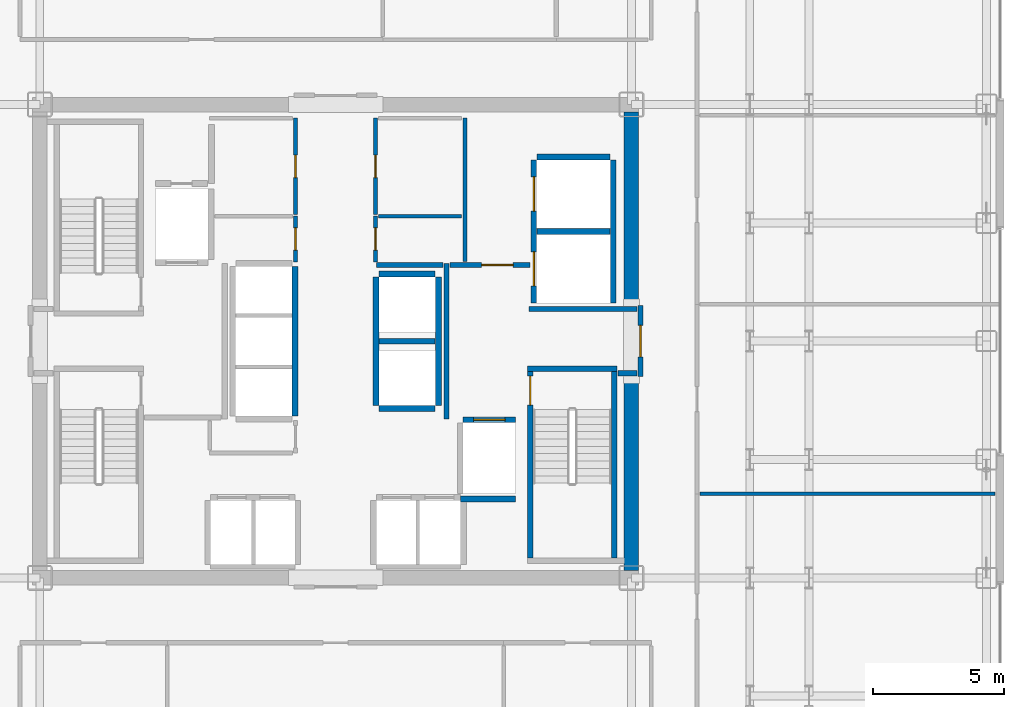
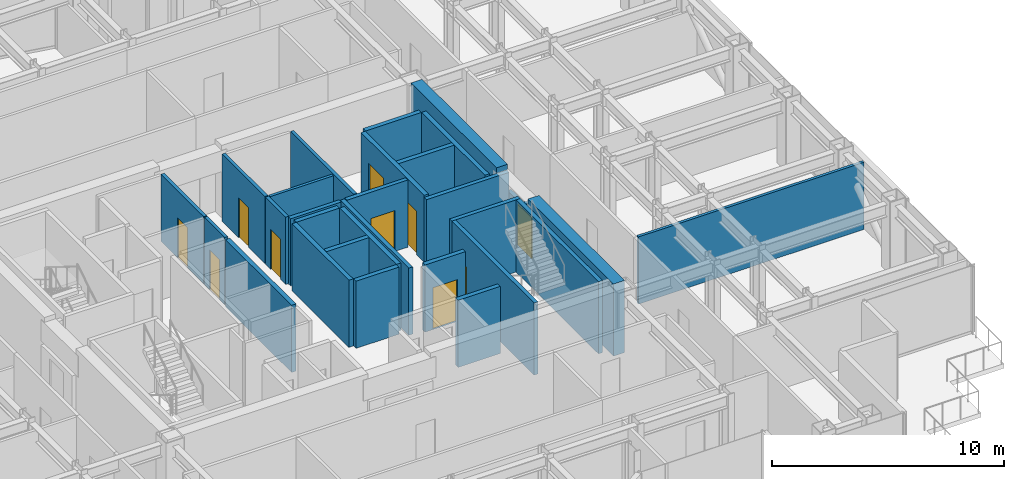
# One storey, part 23 of 27: 30 walls, 10 doors, 10 openings.
"""IFC4 building model written with IfcOpenShell, lengths in metres."""

from ifc_helpers import new_model, si_unit, direction, frame, frame_2d, origin, place, context, subcontext, project, spatial, rectangle, extrude, source, transform, mapped, material, layer, layer_set, type_object, element, fill, save


model = new_model("IFC4")

# Units and contexts
model_context = context("Model", 3, precision=1e-05, world=origin(), true_north=direction((0.0, 1.0)))
body_context = subcontext(model_context, "Body", "Model", "MODEL_VIEW")
ifc_project = project(units=[si_unit("LENGTHUNIT", "METRE"), si_unit("AREAUNIT", "SQUARE_METRE"), si_unit("VOLUMEUNIT", "CUBIC_METRE"), si_unit("PLANEANGLEUNIT", "RADIAN"), si_unit("MASSUNIT", "GRAM", prefix="KILO")], contexts=[model_context])

# Site, building, storey
site_placement = place(None, origin())
site = spatial("IfcSite", under=ifc_project, at=site_placement, CompositionType="ELEMENT")
building_placement = place(site_placement, origin())
building = spatial("IfcBuilding", under=site, at=building_placement, Name="Nefas-Gora Pilgrimage Tower", CompositionType="ELEMENT")
storey_placement = place(building_placement, frame((0.0, 0.0, 183.0)))
storey = spatial("IfcBuildingStorey", under=building, at=storey_placement, Name="L45", CompositionType="ELEMENT", Elevation=183.0)

# Walls
ifc_material_1 = material(Name="Concrete C60/75", Category="concrete")
ifc_layer_1 = layer(ifc_material_1, 0.550048828125)
ifc_layer_set_1 = layer_set([ifc_layer_1], Name="Concrete C60/75")
wall_type_1 = type_object("IfcWallType", Name="SW-CORE-550", PredefinedType="SHEAR", material=ifc_layer_set_1)
shared_shape_1 = source(origin(), body_context, "Body", "SweptSolid", [
    extrude(rectangle(XDim=7.375, YDim=0.550048828125, at=frame_2d((3.6875, 0.0))), origin(), (0.0, 0.0, 1.0), 3.800048828125),
])
for number, where, z_axis, x_axis, name in (
    (1, (11.25, -8.72509765625, 0.0), (0.0, 0.0, 1.0), (0.0, 1.0, 0.0), "L45 Core Shear Wall E-South"),
    (2, (11.25, 1.35009765625, 0.0), (0.0, 0.0, 1.0), (0.0, 1.0, 0.0), "L45 Core Shear Wall E-North"),
):
    element("IfcWall", number, at=place(storey_placement, frame(where, z_axis=z_axis, x_axis=x_axis)), inside=storey, type_object=wall_type_1, Name=name, PredefinedType="SHEAR", context=body_context, shape_type="MappedRepresentation", body=[
        mapped(shared_shape_1, transform((0.0, 0.0, 0.0), x_axis=(1.0, 0.0, 0.0), y_axis=(0.0, 1.0, 0.0), z_axis=(0.0, 0.0, 1.0), scale=1.0)),
    ])
ifc_material_2 = material(Name="Concrete C45/55", Category="concrete")
ifc_layer_2 = layer(ifc_material_2, 0.199951171875)
ifc_layer_set_2 = layer_set([ifc_layer_2], Name="Concrete C45/55")
wall_type_2 = type_object("IfcWallType", Name="IW-STAIR-200", PredefinedType="SOLIDWALL", material=ifc_layer_set_2)
shared_shape_2 = source(origin(), body_context, "Body", "SweptSolid", [
    extrude(rectangle(XDim=3.39990234375, YDim=0.199951171875, at=frame_2d((1.699951171875, 0.0))), origin(), (0.0, 0.0, 1.0), 3.800048828125),
])
wall_1_placement = place(storey_placement, frame((7.300048828125, -1.050048828125, 0.0), z_axis=(0.0, 0.0, 1.0), x_axis=(1.0, 0.0, 0.0)))
element("IfcWall", 3, at=wall_1_placement, inside=storey, type_object=wall_type_2, Name="L45 Stairwell Shear Wall ST-02-near", PredefinedType="SOLIDWALL", context=body_context, shape_type="MappedRepresentation", body=[
    mapped(shared_shape_2, transform((0.0, 0.0, 0.0), x_axis=(1.0, 0.0, 0.0), y_axis=(0.0, 1.0, 0.0), z_axis=(0.0, 0.0, 1.0), scale=1.0)),
])

# Wall, opening, door
shared_shape_3 = source(origin(), body_context, "Body", "SweptSolid", [
    extrude(rectangle(XDim=7.10009765625, YDim=0.199951171875, at=frame_2d((3.550048828125, 0.0))), origin(), (0.0, 0.0, 1.0), 3.800048828125),
])
wall_2_placement = place(storey_placement, frame((7.39990234375, -1.14990234375, 0.0), z_axis=(0.0, 0.0, 1.0), x_axis=(0.0, -1.0, 0.0)))
wall_2 = element("IfcWall", 4, at=wall_2_placement, inside=storey, type_object=wall_type_2, Name="L45 Stairwell Shear Wall ST-02-left", PredefinedType="SOLIDWALL", context=body_context, shape_type="MappedRepresentation", body=[
    mapped(shared_shape_3, transform((0.0, 0.0, 0.0), x_axis=(1.0, 0.0, 0.0), y_axis=(0.0, 1.0, 0.0), z_axis=(0.0, 0.0, 1.0), scale=1.0)),
])
opening_1_placement = place(wall_2_placement, frame((0.179931640625, 0.0, 0.0)))
opening_1 = element("IfcOpeningElement", 5, at=opening_1_placement, cuts=wall_2, Name="Opening ID-ST1", PredefinedType="OPENING", context=body_context, shape_type="SweptSolid", body=[
    extrude(rectangle(XDim=1.10009765625, YDim=2.14990234375, at=frame_2d((0.550048828125, 1.074951171875))), frame((0.0, 0.10986328125, 0.0), z_axis=(0.0, -1.0, 0.0), x_axis=(1.0, 0.0, 0.0)), (0.0, 0.0, 1.0), 0.219970703125),
])
ifc_material_3 = material(Name="Painted galvanised steel fire stair door", Category="steel")
door_type_1 = type_object("IfcDoorType", Name="DR-INT-STAIR-1100", OperationType="NOTDEFINED", PredefinedType="DOOR", material=ifc_material_3)
shared_shape_4 = source(origin(), body_context, "Body", "SweptSolid", [
    extrude(rectangle(XDim=1.10009765625, YDim=2.14990234375, at=frame_2d((0.550048828125, 1.074951171875))), frame((0.0, 0.02490234375, 0.0), z_axis=(0.0, -1.0, 0.0), x_axis=(1.0, 0.0, 0.0)), (0.0, 0.0, 1.0), 0.050048828125),
])
door_1_placement = place(opening_1_placement, origin())
door_1 = element("IfcDoor", 6, at=door_1_placement, inside=storey, type_object=door_type_1, Name="L45 Protected Exit Stair Door ST-02", OperationType="SINGLE_SWING_RIGHT", OverallHeight=2.14990234375, OverallWidth=1.10009765625, PredefinedType="DOOR", context=body_context, shape_type="MappedRepresentation", body=[
    mapped(shared_shape_4, transform((0.0, 0.0, 0.0), x_axis=(1.0, 0.0, 0.0), y_axis=(0.0, 1.0, 0.0), z_axis=(0.0, 0.0, 1.0), scale=1.0)),
])
fill(opening_1, door_1)

# Wall
wall_3_placement = place(storey_placement, frame((10.60009765625, -1.14990234375, 0.0), z_axis=(0.0, 0.0, 1.0), x_axis=(0.0, -1.0, 0.0)))
element("IfcWall", 7, at=wall_3_placement, inside=storey, type_object=wall_type_2, Name="L45 Stairwell Shear Wall ST-02-right", PredefinedType="SOLIDWALL", context=body_context, shape_type="MappedRepresentation", body=[
    mapped(shared_shape_3, transform((0.0, 0.0, 0.0), x_axis=(1.0, 0.0, 0.0), y_axis=(0.0, 1.0, 0.0), z_axis=(0.0, 0.0, 1.0), scale=1.0)),
])

# Wall, opening, door
ifc_material_4 = material(Name="Concrete C40/50", Category="concrete")
ifc_layer_3 = layer(ifc_material_4, 0.219970703125)
ifc_layer_set_3 = layer_set([ifc_layer_3], Name="Concrete C40/50")
wall_type_3 = type_object("IfcWallType", Name="IW-SHAFT-220", PredefinedType="SOLIDWALL", material=ifc_layer_set_3)
shared_shape_5 = source(origin(), body_context, "Body", "SweptSolid", [
    extrude(rectangle(XDim=2.0, YDim=0.219970703125, at=frame_2d((1.0, 0.0))), origin(), (0.0, 0.0, 1.0), 3.534912109375),
])
wall_4_placement = place(storey_placement, frame((6.85009765625, -2.989990234375, 0.0), z_axis=(0.0, 0.0, 1.0), x_axis=(-1.0, 0.0, 0.0)))
wall_4 = element("IfcWall", 8, at=wall_4_placement, inside=storey, type_object=wall_type_3, Name="L45 Hoistway Wall FFL-02-N", PredefinedType="SOLIDWALL", context=body_context, shape_type="MappedRepresentation", body=[
    mapped(shared_shape_5, transform((0.0, 0.0, 0.0), x_axis=(1.0, 0.0, 0.0), y_axis=(0.0, 1.0, 0.0), z_axis=(0.0, 0.0, 1.0), scale=1.0)),
])
opening_2_placement = place(wall_4_placement, frame((0.39990234375, 0.0, 0.0)))
opening_2 = element("IfcOpeningElement", 9, at=opening_2_placement, cuts=wall_4, Name="Opening LD-FF", PredefinedType="OPENING", context=body_context, shape_type="SweptSolid", body=[
    extrude(rectangle(XDim=1.199951171875, YDim=2.199951171875, at=frame_2d((0.60009765625, 1.10009765625))), frame((0.0, 0.119873046875, 0.0), z_axis=(0.0, -1.0, 0.0), x_axis=(1.0, 0.0, 0.0)), (0.0, 0.0, 1.0), 0.239990234375),
])
ifc_material_5 = material(Name="Fire-service sliding lift landing door")
door_type_2 = type_object("IfcDoorType", Name="DR-LIFT-FSAE-1200", OperationType="SLIDING_TO_LEFT", PredefinedType="DOOR", material=ifc_material_5)
shared_shape_6 = source(origin(), body_context, "Body", "SweptSolid", [
    extrude(rectangle(XDim=1.199951171875, YDim=2.199951171875, at=frame_2d((0.60009765625, 1.10009765625))), frame((0.0, 0.02490234375, 0.0), z_axis=(0.0, -1.0, 0.0), x_axis=(1.0, 0.0, 0.0)), (0.0, 0.0, 1.0), 0.050048828125),
])
door_2_placement = place(opening_2_placement, origin())
door_2 = element("IfcDoor", 10, at=door_2_placement, inside=storey, type_object=door_type_2, Name="L45 Sliding Lift Landing Door FFL-02", OperationType="SLIDING_TO_LEFT", OverallHeight=2.199951171875, OverallWidth=1.199951171875, PredefinedType="DOOR", context=body_context, shape_type="MappedRepresentation", body=[
    mapped(shared_shape_6, transform((0.0, 0.0, 0.0), x_axis=(1.0, 0.0, 0.0), y_axis=(0.0, 1.0, 0.0), z_axis=(0.0, 0.0, 1.0), scale=1.0)),
])
fill(opening_2, door_2)

# Wall, openings, doors
shared_shape_7 = source(origin(), body_context, "Body", "SweptSolid", [
    extrude(rectangle(XDim=5.449951171875, YDim=0.219970703125, at=frame_2d((2.72509765625, 0.0))), origin(), (0.0, 0.0, 1.0), 3.534912109375),
])
wall_5_placement = place(storey_placement, frame((7.5400390625, 6.89990234375, 0.0), z_axis=(0.0, 0.0, 1.0), x_axis=(0.0, -1.0, 0.0)))
wall_5 = element("IfcWall", 11, at=wall_5_placement, inside=storey, type_object=wall_type_3, Name="L45 Hoistway Wall SL-01-02-W", PredefinedType="SOLIDWALL", context=body_context, shape_type="MappedRepresentation", body=[
    mapped(shared_shape_7, transform((0.0, 0.0, 0.0), x_axis=(1.0, 0.0, 0.0), y_axis=(0.0, 1.0, 0.0), z_axis=(0.0, 0.0, 1.0), scale=1.0)),
])
opening_3_placement = place(wall_5_placement, frame((3.5, 0.0, 0.0)))
opening_3 = element("IfcOpeningElement", 12, at=opening_3_placement, cuts=wall_5, Name="Opening LD-SV", PredefinedType="OPENING", context=body_context, shape_type="SweptSolid", body=[
    extrude(rectangle(XDim=1.300048828125, YDim=2.300048828125, at=frame_2d((0.64990234375, 1.14990234375))), frame((0.0, 0.119873046875, 0.0), z_axis=(0.0, -1.0, 0.0), x_axis=(1.0, 0.0, 0.0)), (0.0, 0.0, 1.0), 0.239990234375),
])
opening_4_placement = place(wall_5_placement, frame((0.64990234375, 0.0, 0.0)))
opening_4 = element("IfcOpeningElement", 13, at=opening_4_placement, cuts=wall_5, Name="Opening LD-SV", PredefinedType="OPENING", context=body_context, shape_type="SweptSolid", body=[
    extrude(rectangle(XDim=1.300048828125, YDim=2.300048828125, at=frame_2d((0.64990234375, 1.14990234375))), frame((0.0, 0.119873046875, 0.0), z_axis=(0.0, -1.0, 0.0), x_axis=(1.0, 0.0, 0.0)), (0.0, 0.0, 1.0), 0.239990234375),
])
ifc_material_6 = material(Name="Heavy goods sliding lift landing door")
door_type_3 = type_object("IfcDoorType", Name="DR-LIFT-SERV-1300", OperationType="SLIDING_TO_RIGHT", PredefinedType="DOOR", material=ifc_material_6)
shared_shape_8 = source(origin(), body_context, "Body", "SweptSolid", [
    extrude(rectangle(XDim=1.300048828125, YDim=2.300048828125, at=frame_2d((0.64990234375, 1.14990234375))), frame((0.0, 0.02490234375, 0.0), z_axis=(0.0, -1.0, 0.0), x_axis=(1.0, 0.0, 0.0)), (0.0, 0.0, 1.0), 0.050048828125),
])
door_3_placement = place(opening_3_placement, origin())
door_3 = element("IfcDoor", 14, at=door_3_placement, inside=storey, type_object=door_type_3, Name="L45 Sliding Lift Landing Door SL-01", OperationType="SLIDING_TO_RIGHT", OverallHeight=2.300048828125, OverallWidth=1.300048828125, PredefinedType="DOOR", context=body_context, shape_type="MappedRepresentation", body=[
    mapped(shared_shape_8, transform((0.0, 0.0, 0.0), x_axis=(1.0, 0.0, 0.0), y_axis=(0.0, 1.0, 0.0), z_axis=(0.0, 0.0, 1.0), scale=1.0)),
])
fill(opening_3, door_3)
door_4_placement = place(opening_4_placement, origin())
door_4 = element("IfcDoor", 15, at=door_4_placement, inside=storey, type_object=door_type_3, Name="L45 Sliding Lift Landing Door SL-02", OperationType="SLIDING_TO_RIGHT", OverallHeight=2.300048828125, OverallWidth=1.300048828125, PredefinedType="DOOR", context=body_context, shape_type="MappedRepresentation", body=[
    mapped(shared_shape_8, transform((0.0, 0.0, 0.0), x_axis=(1.0, 0.0, 0.0), y_axis=(0.0, 1.0, 0.0), z_axis=(0.0, 0.0, 1.0), scale=1.0)),
])
fill(opening_4, door_4)

# Walls
wall_6_placement = place(storey_placement, frame((10.56005859375, 1.449951171875, 0.0), z_axis=(0.0, 0.0, 1.0), x_axis=(0.0, 1.0, 0.0)))
element("IfcWall", 16, at=wall_6_placement, inside=storey, type_object=wall_type_3, Name="L45 Hoistway Wall SL-01-02-E", PredefinedType="SOLIDWALL", context=body_context, shape_type="MappedRepresentation", body=[
    mapped(shared_shape_7, transform((0.0, 0.0, 0.0), x_axis=(1.0, 0.0, 0.0), y_axis=(0.0, 1.0, 0.0), z_axis=(0.0, 0.0, 1.0), scale=1.0)),
])
shared_shape_9 = source(origin(), body_context, "Body", "SweptSolid", [
    extrude(rectangle(XDim=2.780029296875, YDim=0.219970703125, at=frame_2d((1.39013671875, 0.0))), origin(), (0.0, 0.0, 1.0), 3.534912109375),
])
for number, where, z_axis, x_axis, name in (
    (17, (7.659912109375, 4.175048828125, 0.0), (0.0, 0.0, 1.0), (1.0, 0.0, 0.0), "L45 Hoistway Wall SL-01-02-DIV"),
    (18, (10.43994140625, 7.010009765625, 0.0), (0.0, 0.0, 1.0), (-1.0, 0.0, 0.0), "L45 Hoistway Wall SL-02-N"),
):
    element("IfcWall", number, at=place(storey_placement, frame(where, z_axis=z_axis, x_axis=x_axis)), inside=storey, type_object=wall_type_3, Name=name, PredefinedType="SOLIDWALL", context=body_context, shape_type="MappedRepresentation", body=[
        mapped(shared_shape_9, transform((0.0, 0.0, 0.0), x_axis=(1.0, 0.0, 0.0), y_axis=(0.0, 1.0, 0.0), z_axis=(0.0, 0.0, 1.0), scale=1.0)),
    ])
shared_shape_10 = source(origin(), body_context, "Body", "SweptSolid", [
    extrude(rectangle(XDim=5.7001953125, YDim=0.219970703125, at=frame_2d((2.85009765625, 0.0))), origin(), (0.0, 0.0, 1.0), 3.534912109375),
])
wall_7_placement = place(storey_placement, frame((-1.5400390625, -2.85009765625, 0.0), z_axis=(0.0, 0.0, 1.0), x_axis=(0.0, 1.0, 0.0)))
element("IfcWall", 19, at=wall_7_placement, inside=storey, type_object=wall_type_3, Name="L45 Hoistway Wall PL3-01-03-E", PredefinedType="SOLIDWALL", context=body_context, shape_type="MappedRepresentation", body=[
    mapped(shared_shape_10, transform((0.0, 0.0, 0.0), x_axis=(1.0, 0.0, 0.0), y_axis=(0.0, 1.0, 0.0), z_axis=(0.0, 0.0, 1.0), scale=1.0)),
])
shared_shape_11 = source(origin(), body_context, "Body", "SweptSolid", [
    extrude(rectangle(XDim=2.130126953125, YDim=0.219970703125, at=frame_2d((1.06494140625, 0.0))), origin(), (0.0, 0.0, 1.0), 3.534912109375),
])
for number, where, z_axis, x_axis, name in (
    (20, (1.659912109375, -2.56005859375, 0.0), (0.0, 0.0, 1.0), (1.0, 0.0, 0.0), "L45 Hoistway Wall OBS-01-S"),
    (21, (1.659912109375, 0.0, 0.0), (0.0, 0.0, 1.0), (1.0, 0.0, 0.0), "L45 Hoistway Wall OBS-01-02-DIV"),
    (22, (3.7900390625, 2.56005859375, 0.0), (0.0, 0.0, 1.0), (-1.0, 0.0, 0.0), "L45 Hoistway Wall OBS-02-N"),
):
    element("IfcWall", number, at=place(storey_placement, frame(where, z_axis=z_axis, x_axis=x_axis)), inside=storey, type_object=wall_type_3, Name=name, PredefinedType="SOLIDWALL", context=body_context, shape_type="MappedRepresentation", body=[
        mapped(shared_shape_11, transform((0.0, 0.0, 0.0), x_axis=(1.0, 0.0, 0.0), y_axis=(0.0, 1.0, 0.0), z_axis=(0.0, 0.0, 1.0), scale=1.0)),
    ])
shared_shape_12 = source(origin(), body_context, "Body", "SweptSolid", [
    extrude(rectangle(XDim=4.89990234375, YDim=0.219970703125, at=frame_2d((2.449951171875, 0.0))), origin(), (0.0, 0.0, 1.0), 3.534912109375),
])
for number, where, z_axis, x_axis, name in (
    (23, (1.5400390625, 2.449951171875, 0.0), (0.0, 0.0, 1.0), (0.0, -1.0, 0.0), "L45 Hoistway Wall OBS-01-02-W"),
    (24, (3.909912109375, -2.449951171875, 0.0), (0.0, 0.0, 1.0), (0.0, 1.0, 0.0), "L45 Hoistway Wall OBS-01-02-E"),
):
    element("IfcWall", number, at=place(storey_placement, frame(where, z_axis=z_axis, x_axis=x_axis)), inside=storey, type_object=wall_type_3, Name=name, PredefinedType="SOLIDWALL", context=body_context, shape_type="MappedRepresentation", body=[
        mapped(shared_shape_12, transform((0.0, 0.0, 0.0), x_axis=(1.0, 0.0, 0.0), y_axis=(0.0, 1.0, 0.0), z_axis=(0.0, 0.0, 1.0), scale=1.0)),
    ])
shared_shape_13 = source(origin(), body_context, "Body", "SweptSolid", [
    extrude(rectangle(XDim=2.09521484375, YDim=0.219970703125, at=frame_2d((1.047607421875, 0.0))), origin(), (0.0, 0.0, 1.0), 3.534912109375),
])
wall_8_placement = place(storey_placement, frame((4.7548828125, -6.0, 0.0), z_axis=(0.0, 0.0, 1.0), x_axis=(1.0, 0.0, 0.0)))
element("IfcWall", 25, at=wall_8_placement, inside=storey, type_object=wall_type_3, Name="L45 Riser Shaft Wall 3", PredefinedType="SOLIDWALL", context=body_context, shape_type="MappedRepresentation", body=[
    mapped(shared_shape_13, transform((0.0, 0.0, 0.0), x_axis=(1.0, 0.0, 0.0), y_axis=(0.0, 1.0, 0.0), z_axis=(0.0, 0.0, 1.0), scale=1.0)),
])

# Wall, opening, door
ifc_material_7 = material(Name="Gypsum fire-rated shaftwall")
ifc_layer_4 = layer(ifc_material_7, 0.199951171875)
ifc_layer_set_4 = layer_set([ifc_layer_4], Name="Gypsum fire-rated shaftwall")
wall_type_4 = type_object("IfcWallType", Name="IW-FFLOB-200", PredefinedType="PARTITIONING", material=ifc_layer_set_4)
shared_shape_14 = source(origin(), body_context, "Body", "SweptSolid", [
    extrude(rectangle(XDim=2.7001953125, YDim=0.199951171875, at=frame_2d((1.35009765625, 0.0))), origin(), (0.0, 0.0, 1.0), 2.425048828125),
])
wall_9_placement = place(storey_placement, frame((11.60009765625, -1.35009765625, 0.0), z_axis=(0.0, 0.0, 1.0), x_axis=(0.0, 1.0, 0.0)))
wall_9 = element("IfcWall", 26, at=wall_9_placement, inside=storey, type_object=wall_type_4, Name="L45 FF Lobby East Portal Wall 9", PredefinedType="PARTITIONING", context=body_context, shape_type="MappedRepresentation", body=[
    mapped(shared_shape_14, transform((0.0, 0.0, 0.0), x_axis=(1.0, 0.0, 0.0), y_axis=(0.0, 1.0, 0.0), z_axis=(0.0, 0.0, 1.0), scale=1.0)),
])
opening_5_placement = place(wall_9_placement, frame((0.75, 0.0, 0.0)))
opening_5 = element("IfcOpeningElement", 27, at=opening_5_placement, cuts=wall_9, Name="Opening ID-FF1", PredefinedType="OPENING", context=body_context, shape_type="SweptSolid", body=[
    extrude(rectangle(XDim=1.199951171875, YDim=2.14990234375, at=frame_2d((0.60009765625, 1.074951171875))), frame((0.0, 0.10986328125, 0.0), z_axis=(0.0, -1.0, 0.0), x_axis=(1.0, 0.0, 0.0)), (0.0, 0.0, 1.0), 0.219970703125),
])
ifc_material_8 = material(Name="Smoke-sealed steel firefighting lobby door", Category="steel")
door_type_4 = type_object("IfcDoorType", Name="DR-INT-FFLOB-1200", OperationType="NOTDEFINED", PredefinedType="DOOR", material=ifc_material_8)
shared_shape_15 = source(origin(), body_context, "Body", "SweptSolid", [
    extrude(rectangle(XDim=1.199951171875, YDim=2.14990234375, at=frame_2d((0.60009765625, 1.074951171875))), frame((0.0, 0.02490234375, 0.0), z_axis=(0.0, -1.0, 0.0), x_axis=(1.0, 0.0, 0.0)), (0.0, 0.0, 1.0), 0.050048828125),
])
door_5_placement = place(opening_5_placement, origin())
door_5 = element("IfcDoor", 28, at=door_5_placement, inside=storey, type_object=door_type_4, Name="L45 FF Lobby East Portal Door 3", OperationType="SINGLE_SWING_RIGHT", OverallHeight=2.14990234375, OverallWidth=1.199951171875, PredefinedType="DOOR", context=body_context, shape_type="MappedRepresentation", body=[
    mapped(shared_shape_15, transform((0.0, 0.0, 0.0), x_axis=(1.0, 0.0, 0.0), y_axis=(0.0, 1.0, 0.0), z_axis=(0.0, 0.0, 1.0), scale=1.0)),
])
fill(opening_5, door_5)

# Walls
shared_shape_16 = source(origin(), body_context, "Body", "SweptSolid", [
    extrude(rectangle(XDim=5.89990234375, YDim=0.199951171875, at=frame_2d((2.949951171875, 0.0))), origin(), (0.0, 0.0, 1.0), 3.534912109375),
])
wall_10_placement = place(storey_placement, frame((4.219970703125, -2.949951171875, 0.0), z_axis=(0.0, 0.0, 1.0), x_axis=(0.0, 1.0, 0.0)))
element("IfcWall", 29, at=wall_10_placement, inside=storey, type_object=wall_type_4, Name="L45 FF Lobby East Inner Wall Wall 10", PredefinedType="PARTITIONING", context=body_context, shape_type="MappedRepresentation", body=[
    mapped(shared_shape_16, transform((0.0, 0.0, 0.0), x_axis=(1.0, 0.0, 0.0), y_axis=(0.0, 1.0, 0.0), z_axis=(0.0, 0.0, 1.0), scale=1.0)),
])
shared_shape_17 = source(origin(), body_context, "Body", "SweptSolid", [
    extrude(rectangle(XDim=0.719970703125, YDim=0.199951171875, at=frame_2d((0.35986328125, 0.0))), origin(), (0.0, 0.0, 1.0), 3.534912109375),
])
wall_11_placement = place(storey_placement, frame((10.739990234375, -1.219970703125, 0.0), z_axis=(0.0, 0.0, 1.0), x_axis=(1.0, 0.0, 0.0)))
element("IfcWall", 30, at=wall_11_placement, inside=storey, type_object=wall_type_4, Name="L45 FF Lobby East Throat S Wall 14", PredefinedType="PARTITIONING", context=body_context, shape_type="MappedRepresentation", body=[
    mapped(shared_shape_17, transform((0.0, 0.0, 0.0), x_axis=(1.0, 0.0, 0.0), y_axis=(0.0, 1.0, 0.0), z_axis=(0.0, 0.0, 1.0), scale=1.0)),
])

# Wall, opening, door
shared_shape_18 = source(origin(), body_context, "Body", "SweptSolid", [
    extrude(rectangle(XDim=3.039794921875, YDim=0.199951171875, at=frame_2d((1.52001953125, 0.0))), origin(), (0.0, 0.0, 1.0), 3.534912109375),
])
wall_12_placement = place(storey_placement, frame((4.360107421875, 2.89990234375, 0.0), z_axis=(0.0, 0.0, 1.0), x_axis=(1.0, 0.0, 0.0)))
wall_12 = element("IfcWall", 31, at=wall_12_placement, inside=storey, type_object=wall_type_4, Name="L45 FF Lobby East North Wall Wall 12", PredefinedType="PARTITIONING", context=body_context, shape_type="MappedRepresentation", body=[
    mapped(shared_shape_18, transform((0.0, 0.0, 0.0), x_axis=(1.0, 0.0, 0.0), y_axis=(0.0, 1.0, 0.0), z_axis=(0.0, 0.0, 1.0), scale=1.0)),
])
opening_6_placement = place(wall_12_placement, frame((1.18994140625, 0.0, 0.0)))
opening_6 = element("IfcOpeningElement", 32, at=opening_6_placement, cuts=wall_12, Name="Opening ID-PL1", PredefinedType="OPENING", context=body_context, shape_type="SweptSolid", body=[
    extrude(rectangle(XDim=1.199951171875, YDim=2.14990234375, at=frame_2d((0.60009765625, 1.074951171875))), frame((0.0, 0.10986328125, 0.0), z_axis=(0.0, -1.0, 0.0), x_axis=(1.0, 0.0, 0.0)), (0.0, 0.0, 1.0), 0.219970703125),
])
ifc_material_9 = material(Name="Heavy-duty steel plant room fire door", Category="steel")
door_type_5 = type_object("IfcDoorType", Name="DR-INT-PLANT-1200", OperationType="NOTDEFINED", PredefinedType="DOOR", material=ifc_material_9)
door_6_placement = place(opening_6_placement, origin())
door_6 = element("IfcDoor", 33, at=door_6_placement, inside=storey, type_object=door_type_5, Name="L45 Service Lift Lobby Door Door 4", OperationType="SINGLE_SWING_LEFT", OverallHeight=2.14990234375, OverallWidth=1.199951171875, PredefinedType="DOOR", context=body_context, shape_type="MappedRepresentation", body=[
    mapped(shared_shape_15, transform((0.0, 0.0, 0.0), x_axis=(1.0, 0.0, 0.0), y_axis=(0.0, 1.0, 0.0), z_axis=(0.0, 0.0, 1.0), scale=1.0)),
])
fill(opening_6, door_6)

# Walls
shared_shape_19 = source(origin(), body_context, "Body", "SweptSolid", [
    extrude(rectangle(XDim=4.10986328125, YDim=0.199951171875, at=frame_2d((2.054931640625, 0.0))), origin(), (0.0, 0.0, 1.0), 3.534912109375),
])
wall_13_placement = place(storey_placement, frame((7.35009765625, 1.219970703125, 0.0), z_axis=(0.0, 0.0, 1.0), x_axis=(1.0, 0.0, 0.0)))
element("IfcWall", 34, at=wall_13_placement, inside=storey, type_object=wall_type_4, Name="L45 FF Lobby East Throat N Wall 13", PredefinedType="PARTITIONING", context=body_context, shape_type="MappedRepresentation", body=[
    mapped(shared_shape_19, transform((0.0, 0.0, 0.0), x_axis=(1.0, 0.0, 0.0), y_axis=(0.0, 1.0, 0.0), z_axis=(0.0, 0.0, 1.0), scale=1.0)),
])
ifc_material_10 = material(Name="Gypsum twin-stud partition")
ifc_layer_5 = layer(ifc_material_10, 0.139892578125)
ifc_layer_set_5 = layer_set([ifc_layer_5], Name="Gypsum twin-stud partition")
wall_type_5 = type_object("IfcWallType", Name="IW-UNIT-140", PredefinedType="PARTITIONING", material=ifc_layer_set_5)
shared_shape_20 = source(origin(), body_context, "Body", "SweptSolid", [
    extrude(rectangle(XDim=3.150146484375, YDim=0.139892578125, at=frame_2d((1.5751953125, 0.0))), origin(), (0.0, 0.0, 1.0), 3.534912109375),
])
wall_14_placement = place(storey_placement, frame((1.639892578125, 4.75, 0.0), z_axis=(0.0, 0.0, 1.0), x_axis=(1.0, 0.0, 0.0)))
element("IfcWall", 35, at=wall_14_placement, inside=storey, type_object=wall_type_5, Name="L45 Clean Blanket and Robe Store Partition Wall 23", PredefinedType="PARTITIONING", context=body_context, shape_type="MappedRepresentation", body=[
    mapped(shared_shape_20, transform((0.0, 0.0, 0.0), x_axis=(1.0, 0.0, 0.0), y_axis=(0.0, 1.0, 0.0), z_axis=(0.0, 0.0, 1.0), scale=1.0)),
])
shared_shape_21 = source(origin(), body_context, "Body", "SweptSolid", [
    extrude(rectangle(XDim=11.219970703125, YDim=0.139892578125, at=frame_2d((5.60986328125, 0.0))), origin(), (0.0, 0.0, 1.0), 3.534912109375),
])
wall_15_placement = place(storey_placement, frame((13.860107421875, -5.804931640625, 0.0), z_axis=(0.0, 0.0, 1.0), x_axis=(1.0, 0.0, 0.0)))
element("IfcWall", 36, at=wall_15_placement, inside=storey, type_object=wall_type_5, Name="L45 Pilgrim Contemplative Lounge Partition Wall 46", PredefinedType="PARTITIONING", context=body_context, shape_type="MappedRepresentation", body=[
    mapped(shared_shape_21, transform((0.0, 0.0, 0.0), x_axis=(1.0, 0.0, 0.0), y_axis=(0.0, 1.0, 0.0), z_axis=(0.0, 0.0, 1.0), scale=1.0)),
])
shared_shape_22 = source(origin(), body_context, "Body", "SweptSolid", [
    extrude(rectangle(XDim=2.52001953125, YDim=0.199951171875, at=frame_2d((1.260009765625, 0.0))), origin(), (0.0, 0.0, 1.0), 3.534912109375),
])
wall_16_placement = place(storey_placement, frame((1.56005859375, 2.89990234375, 0.0), z_axis=(0.0, 0.0, 1.0), x_axis=(1.0, 0.0, 0.0)))
element("IfcWall", 37, at=wall_16_placement, inside=storey, type_object=wall_type_4, Name="L45 FF Lobby East North Wall Wall 11", PredefinedType="PARTITIONING", context=body_context, shape_type="MappedRepresentation", body=[
    mapped(shared_shape_22, transform((0.0, 0.0, 0.0), x_axis=(1.0, 0.0, 0.0), y_axis=(0.0, 1.0, 0.0), z_axis=(0.0, 0.0, 1.0), scale=1.0)),
])
ifc_material_11 = material(Name="Gypsum acoustic stud partition")
ifc_layer_6 = layer(ifc_material_11, 0.159912109375)
ifc_layer_set_6 = layer_set([ifc_layer_6], Name="Gypsum acoustic stud partition")
wall_type_6 = type_object("IfcWallType", Name="IW-CORR-160", PredefinedType="PARTITIONING", material=ifc_layer_set_6)
shared_shape_23 = source(origin(), body_context, "Body", "SweptSolid", [
    extrude(rectangle(XDim=5.449951171875, YDim=0.159912109375, at=frame_2d((2.72509765625, 0.0))), origin(), (0.0, 0.0, 1.0), 3.534912109375),
])
wall_17_placement = place(storey_placement, frame((4.919921875, 3.0400390625, 0.0), z_axis=(0.0, 0.0, 1.0), x_axis=(0.0, 1.0, 0.0)))
element("IfcWall", 38, at=wall_17_placement, inside=storey, type_object=wall_type_6, Name="L45 Service Lift Lobby West Wall Wall 17", PredefinedType="PARTITIONING", context=body_context, shape_type="MappedRepresentation", body=[
    mapped(shared_shape_23, transform((0.0, 0.0, 0.0), x_axis=(1.0, 0.0, 0.0), y_axis=(0.0, 1.0, 0.0), z_axis=(0.0, 0.0, 1.0), scale=1.0)),
])

# Wall, opening, door
shared_shape_24 = source(origin(), body_context, "Body", "SweptSolid", [
    extrude(rectangle(XDim=1.75, YDim=0.159912109375, at=frame_2d((0.875, 0.0))), origin(), (0.0, 0.0, 1.0), 3.534912109375),
])
wall_18_placement = place(storey_placement, frame((-1.52001953125, 3.010009765625, 0.0), z_axis=(0.0, 0.0, 1.0), x_axis=(0.0, 1.0, 0.0)))
wall_18 = element("IfcWall", 39, at=wall_18_placement, inside=storey, type_object=wall_type_6, Name="L45 Housekeeping and Linen Store Wall 18", PredefinedType="PARTITIONING", context=body_context, shape_type="MappedRepresentation", body=[
    mapped(shared_shape_24, transform((0.0, 0.0, 0.0), x_axis=(1.0, 0.0, 0.0), y_axis=(0.0, 1.0, 0.0), z_axis=(0.0, 0.0, 1.0), scale=1.0)),
])
opening_7_placement = place(wall_18_placement, frame((0.449951171875, 0.0, 0.0)))
opening_7 = element("IfcOpeningElement", 40, at=opening_7_placement, cuts=wall_18, Name="Opening ID-BT1", PredefinedType="OPENING", context=body_context, shape_type="SweptSolid", body=[
    extrude(rectangle(XDim=0.85009765625, YDim=2.10009765625, at=frame_2d((0.425048828125, 1.050048828125))), frame((0.0, 0.08984375, 0.0), z_axis=(0.0, -1.0, 0.0), x_axis=(1.0, 0.0, 0.0)), (0.0, 0.0, 1.0), 0.179931640625),
])
ifc_material_12 = material(Name="Moisture-resistant fire-rated timber door", Category="wood")
door_type_6 = type_object("IfcDoorType", Name="DR-INT-BATH-850", OperationType="NOTDEFINED", PredefinedType="DOOR", material=ifc_material_12)
shared_shape_25 = source(origin(), body_context, "Body", "SweptSolid", [
    extrude(rectangle(XDim=0.85009765625, YDim=2.10009765625, at=frame_2d((0.425048828125, 1.050048828125))), frame((0.0, 0.02490234375, 0.0), z_axis=(0.0, -1.0, 0.0), x_axis=(1.0, 0.0, 0.0)), (0.0, 0.0, 1.0), 0.050048828125),
])
door_7_placement = place(opening_7_placement, origin())
door_7 = element("IfcDoor", 41, at=door_7_placement, inside=storey, type_object=door_type_6, Name="L45 Housekeeping and Linen Store Door 7", OperationType="SINGLE_SWING_RIGHT", OverallHeight=2.10009765625, OverallWidth=0.85009765625, PredefinedType="DOOR", context=body_context, shape_type="MappedRepresentation", body=[
    mapped(shared_shape_25, transform((0.0, 0.0, 0.0), x_axis=(1.0, 0.0, 0.0), y_axis=(0.0, 1.0, 0.0), z_axis=(0.0, 0.0, 1.0), scale=1.0)),
])
fill(opening_7, door_7)

wall_19_placement = place(storey_placement, frame((1.52001953125, 3.010009765625, 0.0), z_axis=(0.0, 0.0, 1.0), x_axis=(0.0, 1.0, 0.0)))
wall_19 = element("IfcWall", 42, at=wall_19_placement, inside=storey, type_object=wall_type_6, Name="L45 Clean Blanket and Robe Store Wall 22", PredefinedType="PARTITIONING", context=body_context, shape_type="MappedRepresentation", body=[
    mapped(shared_shape_24, transform((0.0, 0.0, 0.0), x_axis=(1.0, 0.0, 0.0), y_axis=(0.0, 1.0, 0.0), z_axis=(0.0, 0.0, 1.0), scale=1.0)),
])
opening_8_placement = place(wall_19_placement, frame((0.449951171875, 0.0, 0.0)))
opening_8 = element("IfcOpeningElement", 43, at=opening_8_placement, cuts=wall_19, Name="Opening ID-BT1", PredefinedType="OPENING", context=body_context, shape_type="SweptSolid", body=[
    extrude(rectangle(XDim=0.85009765625, YDim=2.10009765625, at=frame_2d((0.425048828125, 1.050048828125))), frame((0.0, 0.08984375, 0.0), z_axis=(0.0, -1.0, 0.0), x_axis=(1.0, 0.0, 0.0)), (0.0, 0.0, 1.0), 0.179931640625),
])
door_8_placement = place(opening_8_placement, origin())
door_8 = element("IfcDoor", 44, at=door_8_placement, inside=storey, type_object=door_type_6, Name="L45 Clean Blanket and Robe Store Door 9", OperationType="SINGLE_SWING_RIGHT", OverallHeight=2.10009765625, OverallWidth=0.85009765625, PredefinedType="DOOR", context=body_context, shape_type="MappedRepresentation", body=[
    mapped(shared_shape_25, transform((0.0, 0.0, 0.0), x_axis=(1.0, 0.0, 0.0), y_axis=(0.0, 1.0, 0.0), z_axis=(0.0, 0.0, 1.0), scale=1.0)),
])
fill(opening_8, door_8)

shared_shape_26 = source(origin(), body_context, "Body", "SweptSolid", [
    extrude(rectangle(XDim=3.679931640625, YDim=0.159912109375, at=frame_2d((1.83984375, 0.0))), origin(), (0.0, 0.0, 1.0), 3.534912109375),
])
wall_20_placement = place(storey_placement, frame((-1.52001953125, 4.81005859375, 0.0), z_axis=(0.0, 0.0, 1.0), x_axis=(0.0, 1.0, 0.0)))
wall_20 = element("IfcWall", 45, at=wall_20_placement, inside=storey, type_object=wall_type_6, Name="L45 Archival Supply Store Wall 20", PredefinedType="PARTITIONING", context=body_context, shape_type="MappedRepresentation", body=[
    mapped(shared_shape_26, transform((0.0, 0.0, 0.0), x_axis=(1.0, 0.0, 0.0), y_axis=(0.0, 1.0, 0.0), z_axis=(0.0, 0.0, 1.0), scale=1.0)),
])
opening_9_placement = place(wall_20_placement, frame((1.4150390625, 0.0, 0.0)))
opening_9 = element("IfcOpeningElement", 46, at=opening_9_placement, cuts=wall_20, Name="Opening ID-BT1", PredefinedType="OPENING", context=body_context, shape_type="SweptSolid", body=[
    extrude(rectangle(XDim=0.85009765625, YDim=2.10009765625, at=frame_2d((0.425048828125, 1.050048828125))), frame((0.0, 0.08984375, 0.0), z_axis=(0.0, -1.0, 0.0), x_axis=(1.0, 0.0, 0.0)), (0.0, 0.0, 1.0), 0.179931640625),
])
door_9_placement = place(opening_9_placement, origin())
door_9 = element("IfcDoor", 47, at=door_9_placement, inside=storey, type_object=door_type_6, Name="L45 Archival Supply Store Door 8", OperationType="SINGLE_SWING_LEFT", OverallHeight=2.10009765625, OverallWidth=0.85009765625, PredefinedType="DOOR", context=body_context, shape_type="MappedRepresentation", body=[
    mapped(shared_shape_25, transform((0.0, 0.0, 0.0), x_axis=(1.0, 0.0, 0.0), y_axis=(0.0, 1.0, 0.0), z_axis=(0.0, 0.0, 1.0), scale=1.0)),
])
fill(opening_9, door_9)

wall_21_placement = place(storey_placement, frame((1.52001953125, 4.81005859375, 0.0), z_axis=(0.0, 0.0, 1.0), x_axis=(0.0, 1.0, 0.0)))
wall_21 = element("IfcWall", 48, at=wall_21_placement, inside=storey, type_object=wall_type_6, Name="L45 Amenity Supply Store Wall 24", PredefinedType="PARTITIONING", context=body_context, shape_type="MappedRepresentation", body=[
    mapped(shared_shape_26, transform((0.0, 0.0, 0.0), x_axis=(1.0, 0.0, 0.0), y_axis=(0.0, 1.0, 0.0), z_axis=(0.0, 0.0, 1.0), scale=1.0)),
])
opening_10_placement = place(wall_21_placement, frame((1.4150390625, 0.0, 0.0)))
opening_10 = element("IfcOpeningElement", 49, at=opening_10_placement, cuts=wall_21, Name="Opening ID-BT1", PredefinedType="OPENING", context=body_context, shape_type="SweptSolid", body=[
    extrude(rectangle(XDim=0.85009765625, YDim=2.10009765625, at=frame_2d((0.425048828125, 1.050048828125))), frame((0.0, 0.08984375, 0.0), z_axis=(0.0, -1.0, 0.0), x_axis=(1.0, 0.0, 0.0)), (0.0, 0.0, 1.0), 0.179931640625),
])
door_10_placement = place(opening_10_placement, origin())
door_10 = element("IfcDoor", 50, at=door_10_placement, inside=storey, type_object=door_type_6, Name="L45 Amenity Supply Store Door 10", OperationType="SINGLE_SWING_LEFT", OverallHeight=2.10009765625, OverallWidth=0.85009765625, PredefinedType="DOOR", context=body_context, shape_type="MappedRepresentation", body=[
    mapped(shared_shape_25, transform((0.0, 0.0, 0.0), x_axis=(1.0, 0.0, 0.0), y_axis=(0.0, 1.0, 0.0), z_axis=(0.0, 0.0, 1.0), scale=1.0)),
])
fill(opening_10, door_10)

save(model, "model.ifc")
